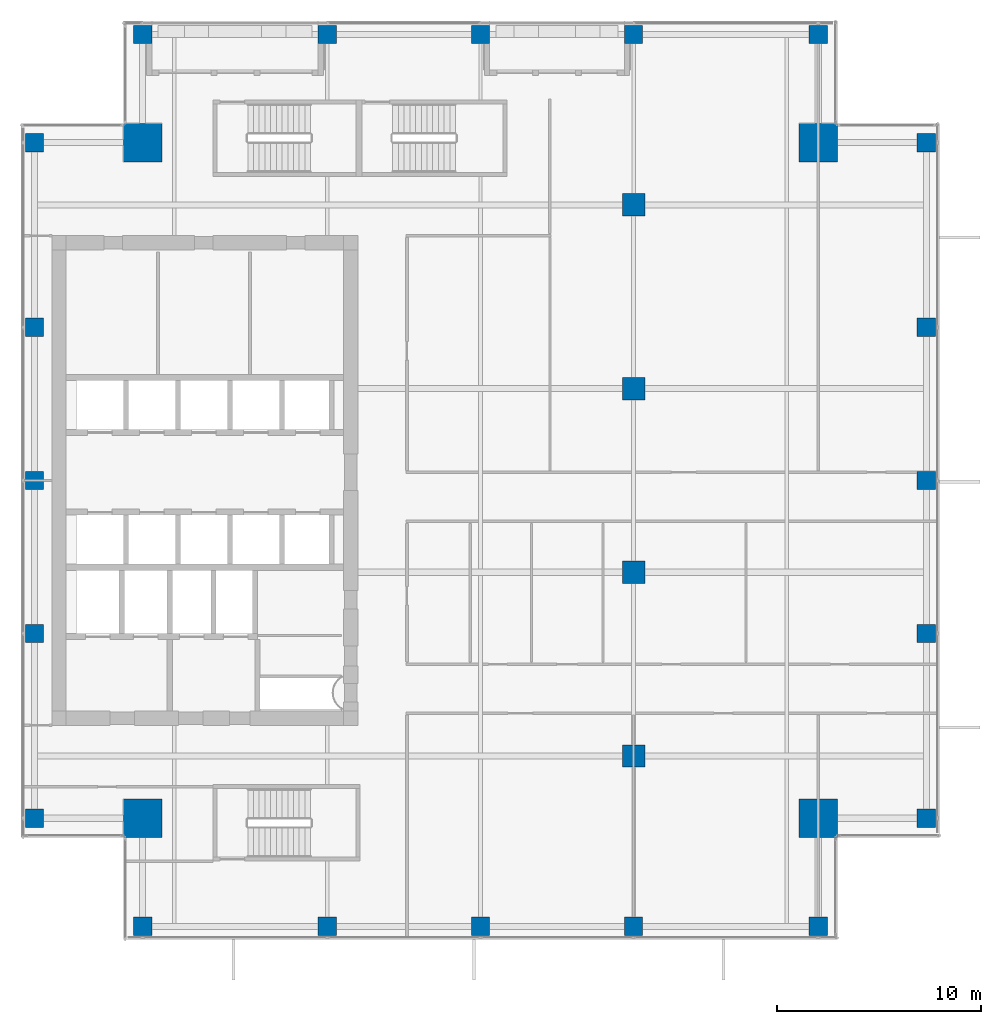
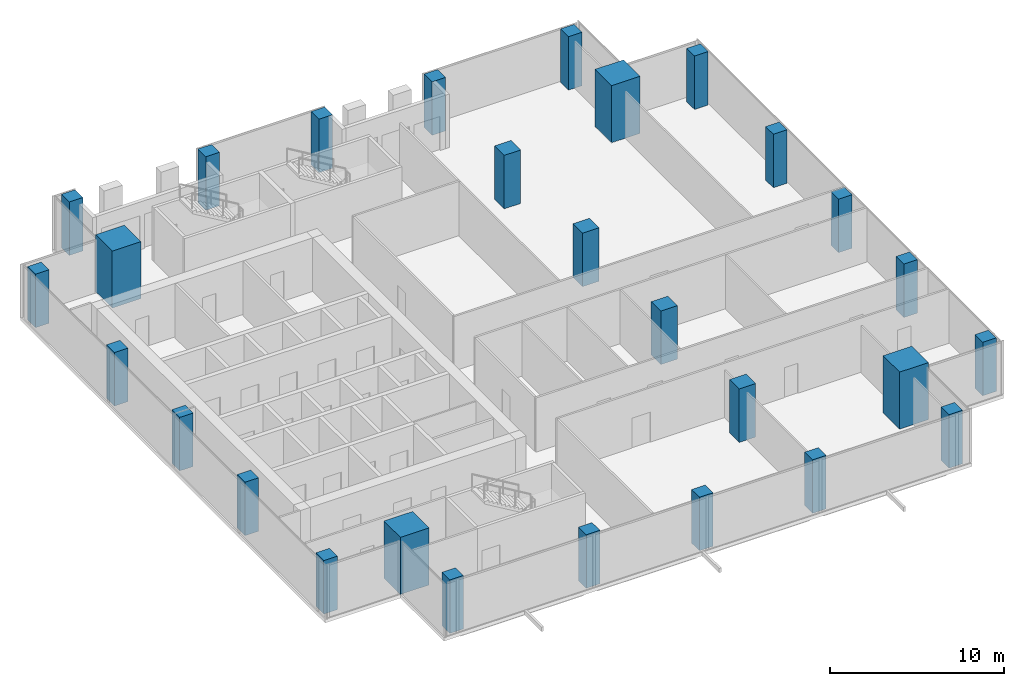
# One storey, part 1 of 34: 28 columns.
"""IFC4 building model written with IfcOpenShell, lengths in metres."""

from ifc_helpers import new_model, si_unit, direction, frame, origin, origin_2d, place, context, subcontext, project, spatial, rectangle, extrude, source, transform, mapped, material, material_profile, profile_set, type_object, element, save


model = new_model("IFC4")

# Units and contexts
model_context = context("Model", 3, precision=1e-05, world=origin(), true_north=direction((0.0, 1.0)))
body_context = subcontext(model_context, "Body", "Model", "MODEL_VIEW")
ifc_project = project(units=[si_unit("LENGTHUNIT", "METRE"), si_unit("AREAUNIT", "SQUARE_METRE"), si_unit("VOLUMEUNIT", "CUBIC_METRE"), si_unit("PLANEANGLEUNIT", "RADIAN"), si_unit("MASSUNIT", "GRAM", prefix="KILO")], contexts=[model_context])

# Site, building, storey
site_placement = place(None, origin())
site = spatial("IfcSite", under=ifc_project, at=site_placement, CompositionType="ELEMENT")
building_placement = place(site_placement, origin())
building = spatial("IfcBuilding", under=site, at=building_placement, Name="Khomas Fold Tower", CompositionType="ELEMENT")
storey_placement = place(building_placement, frame((0.0, 0.0, 242.199951171875)))
storey = spatial("IfcBuildingStorey", under=building, at=storey_placement, Name="L54", CompositionType="ELEMENT", Elevation=242.199951171875)

# Columns
ifc_material_1 = material(Name="Concrete C60/75", Category="concrete")
ifc_material_profile_1 = material_profile(ifc_material_1, rectangle(XDim=1.89990234375, YDim=1.89990234375, at=origin_2d()), Name="RC 1900x1900")
ifc_profile_set_1 = profile_set([ifc_material_profile_1], Name="Concrete C60/75")
column_type_1 = type_object("IfcColumnType", Name="RC 1900x1900 column", PredefinedType="COLUMN", material=ifc_profile_set_1)
shared_shape_1 = source(origin(), body_context, "Body", "SweptSolid", [
    extrude(rectangle(XDim=1.89990234375, YDim=1.89990234375, at=origin_2d()), origin(), (0.0, 0.0, 1.0), 4.0),
])
for number, where, z_axis, x_axis, name in (
    (1, (43.550048828125, 43.550048828125, 0.0), (0.0, 0.0, 1.0), (1.0, 0.0, 0.0), "CM-NE"),
    (2, (10.449951171875, 43.550048828125, 0.0), (0.0, 0.0, 1.0), (1.0, 0.0, 0.0), "CM-NW"),
    (3, (43.550048828125, 10.449951171875, 0.0), (0.0, 0.0, 1.0), (1.0, 0.0, 0.0), "CM-SE"),
    (4, (10.449951171875, 10.449951171875, 0.0), (0.0, 0.0, 1.0), (1.0, 0.0, 0.0), "CM-SW"),
):
    element("IfcColumn", number, at=place(storey_placement, frame(where, z_axis=z_axis, x_axis=x_axis)), inside=storey, type_object=column_type_1, Name=name, PredefinedType="COLUMN", context=body_context, shape_type="MappedRepresentation", body=[
        mapped(shared_shape_1, transform((0.0, 0.0, 0.0))),
    ])
ifc_material_2 = material(Name="Concrete C50/60", Category="concrete")
ifc_material_profile_2 = material_profile(ifc_material_2, rectangle(XDim=0.89990234375, YDim=0.89990234375, at=origin_2d()), Name="RC 900x900")
ifc_profile_set_2 = profile_set([ifc_material_profile_2], Name="Concrete C50/60")
column_type_2 = type_object("IfcColumnType", Name="RC 900x900 column", PredefinedType="COLUMN", material=ifc_profile_set_2)
shared_shape_2 = source(origin(), body_context, "Body", "SweptSolid", [
    extrude(rectangle(XDim=0.89990234375, YDim=0.89990234375, at=origin_2d()), origin(), (0.0, 0.0, 1.0), 3.75),
])
for number, where, z_axis, x_axis, name in (
    (5, (10.449951171875, 5.14990234375, 0.0), (0.0, 0.0, 1.0), (1.0, 0.0, 0.0), "C-5-SF4"),
    (6, (19.5, 5.14990234375, 0.0), (0.0, 0.0, 1.0), (1.0, 0.0, 0.0), "C-8-SF4"),
    (7, (27.0, 5.14990234375, 0.0), (0.0, 0.0, 1.0), (1.0, 0.0, 0.0), "C-9-SF4"),
    (8, (34.5, 5.14990234375, 0.0), (0.0, 0.0, 1.0), (1.0, 0.0, 0.0), "C-10-SF4"),
    (9, (43.550048828125, 5.14990234375, 0.0), (0.0, 0.0, 1.0), (1.0, 0.0, 0.0), "C-14-SF4"),
    (10, (48.85009765625, 10.449951171875, 0.0), (0.0, 0.0, 1.0), (1.0, 0.0, 0.0), "C-E4-E"),
    (11, (48.85009765625, 19.5, 0.0), (0.0, 0.0, 1.0), (1.0, 0.0, 0.0), "C-E4-J"),
    (12, (48.85009765625, 27.0, 0.0), (0.0, 0.0, 1.0), (1.0, 0.0, 0.0), "C-E4-L"),
    (13, (48.85009765625, 34.5, 0.0), (0.0, 0.0, 1.0), (1.0, 0.0, 0.0), "C-E4-N"),
    (14, (48.85009765625, 43.550048828125, 0.0), (0.0, 0.0, 1.0), (1.0, 0.0, 0.0), "C-E4-S"),
    (15, (10.449951171875, 48.85009765625, 0.0), (0.0, 0.0, 1.0), (1.0, 0.0, 0.0), "C-5-NF4"),
    (16, (19.5, 48.85009765625, 0.0), (0.0, 0.0, 1.0), (1.0, 0.0, 0.0), "C-8-NF4"),
    (17, (27.0, 48.85009765625, 0.0), (0.0, 0.0, 1.0), (1.0, 0.0, 0.0), "C-9-NF4"),
    (18, (34.5, 48.85009765625, 0.0), (0.0, 0.0, 1.0), (1.0, 0.0, 0.0), "C-10-NF4"),
    (19, (43.550048828125, 48.85009765625, 0.0), (0.0, 0.0, 1.0), (1.0, 0.0, 0.0), "C-14-NF4"),
    (20, (5.14990234375, 10.449951171875, 0.0), (0.0, 0.0, 1.0), (1.0, 0.0, 0.0), "C-W4-E"),
    (21, (5.14990234375, 19.5, 0.0), (0.0, 0.0, 1.0), (1.0, 0.0, 0.0), "C-W4-J"),
    (22, (5.14990234375, 27.0, 0.0), (0.0, 0.0, 1.0), (1.0, 0.0, 0.0), "C-W4-L"),
    (23, (5.14990234375, 34.5, 0.0), (0.0, 0.0, 1.0), (1.0, 0.0, 0.0), "C-W4-N"),
    (24, (5.14990234375, 43.550048828125, 0.0), (0.0, 0.0, 1.0), (1.0, 0.0, 0.0), "C-W4-S"),
):
    element("IfcColumn", number, at=place(storey_placement, frame(where, z_axis=z_axis, x_axis=x_axis)), inside=storey, type_object=column_type_2, Name=name, PredefinedType="COLUMN", context=body_context, shape_type="MappedRepresentation", body=[
        mapped(shared_shape_2, transform((0.0, 0.0, 0.0))),
    ])
ifc_material_3 = material(Name="Concrete C50/60", Category="concrete")
ifc_material_profile_3 = material_profile(ifc_material_3, rectangle(XDim=1.10009765625, YDim=1.10009765625, at=origin_2d()), Name="RC 1100x1100")
ifc_profile_set_3 = profile_set([ifc_material_profile_3], Name="Concrete C50/60")
column_type_3 = type_object("IfcColumnType", Name="RC 1100x1100 column", PredefinedType="COLUMN", material=ifc_profile_set_3)
shared_shape_3 = source(origin(), body_context, "Body", "SweptSolid", [
    extrude(rectangle(XDim=1.10009765625, YDim=1.10009765625, at=origin_2d()), origin(), (0.0, 0.0, 1.0), 3.75),
])
for number, where, z_axis, x_axis, name in (
    (25, (34.5, 13.5, 0.0), (0.0, 0.0, 1.0), (1.0, 0.0, 0.0), "C-10-H"),
    (26, (34.5, 22.5, 0.0), (0.0, 0.0, 1.0), (1.0, 0.0, 0.0), "C-10-K"),
    (27, (34.5, 31.5, 0.0), (0.0, 0.0, 1.0), (1.0, 0.0, 0.0), "C-10-M"),
    (28, (34.5, 40.5, 0.0), (0.0, 0.0, 1.0), (1.0, 0.0, 0.0), "C-10-P"),
):
    element("IfcColumn", number, at=place(storey_placement, frame(where, z_axis=z_axis, x_axis=x_axis)), inside=storey, type_object=column_type_3, Name=name, PredefinedType="COLUMN", context=body_context, shape_type="MappedRepresentation", body=[
        mapped(shared_shape_3, transform((0.0, 0.0, 0.0))),
    ])

save(model, "model.ifc")
